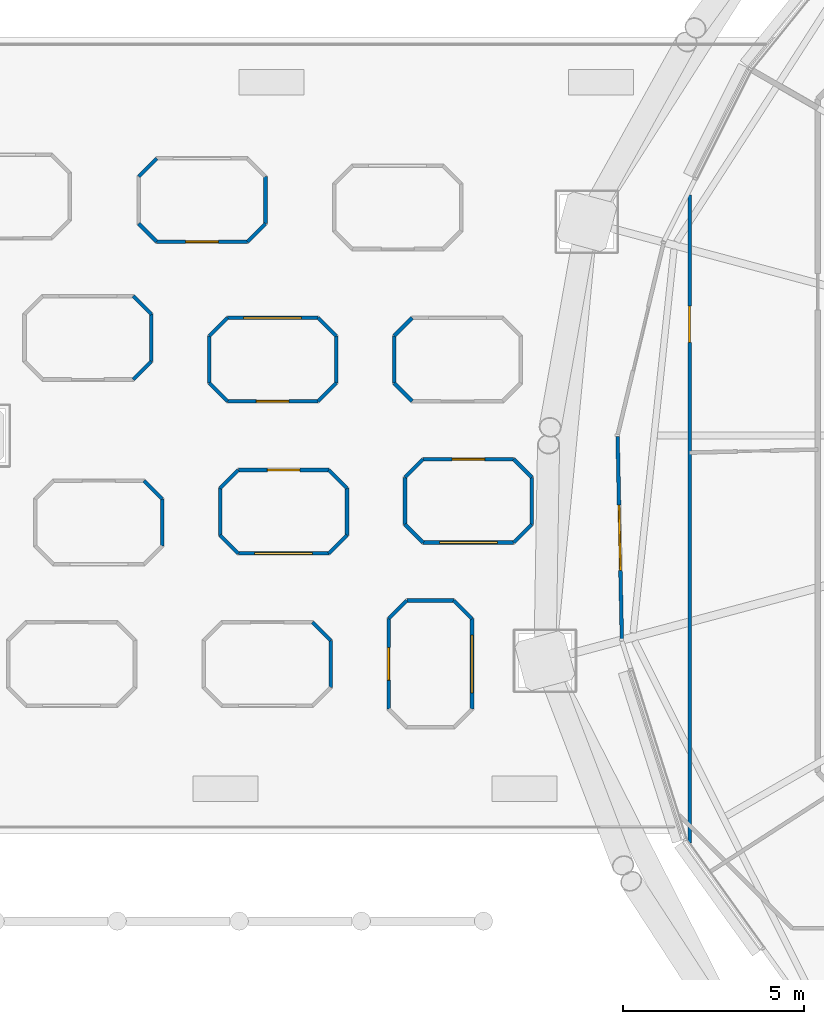
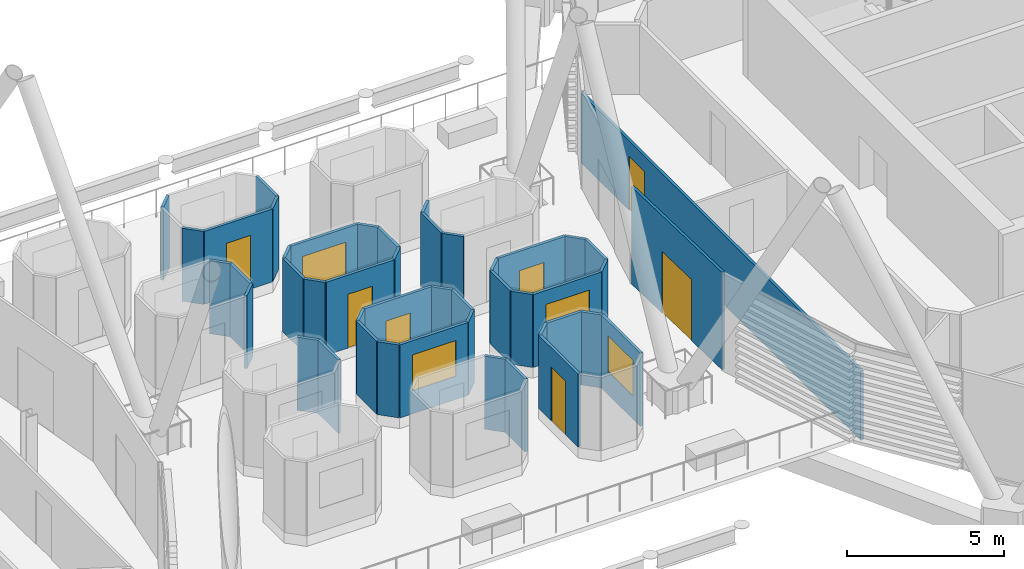
# One storey, part 25 of 38: 46 walls, 7 doors, 4 windows, 11 openings.
"""IFC4 building model written with IfcOpenShell, lengths in metres."""

from ifc_helpers import new_model, si_unit, direction, frame, frame_2d, origin, place, context, subcontext, project, spatial, rectangle, extrude, material, layer, layer_set, type_object, element, fill, save


model = new_model("IFC4")

# Units and contexts
model_context = context("Model", 3, precision=1e-05, world=origin(), true_north=direction((0.0, 1.0)))
body_context = subcontext(model_context, "Body", "Model", "MODEL_VIEW")
ifc_project = project(units=[si_unit("LENGTHUNIT", "METRE"), si_unit("AREAUNIT", "SQUARE_METRE"), si_unit("VOLUMEUNIT", "CUBIC_METRE"), si_unit("PLANEANGLEUNIT", "RADIAN"), si_unit("MASSUNIT", "GRAM", prefix="KILO")], contexts=[model_context])

# Site, building, storey
site_placement = place(None, origin())
site = spatial("IfcSite", under=ifc_project, at=site_placement, CompositionType="ELEMENT")
building_placement = place(site_placement, origin())
building = spatial("IfcBuilding", under=site, at=building_placement, Name="Rimbun Link Towers", CompositionType="ELEMENT")
storey_placement = place(building_placement, frame((0.0, 0.0, 158.89990234375)))
storey = spatial("IfcBuildingStorey", under=building, at=storey_placement, Name="L38", CompositionType="ELEMENT", Elevation=158.89990234375)

# Wall, opening, door
ifc_material_1 = material(Name="Terracotta-faced insulated sandwich panel", Category="masonry")
ifc_layer_1 = layer(ifc_material_1, 0.10009765625)
ifc_layer_set_1 = layer_set([ifc_layer_1], Name="CAPSULE entrance panel 100")
wall_type_1 = type_object("IfcWallType", Name="CAPSULE entrance panel 100", PredefinedType="STANDARD", material=ifc_layer_set_1)
wall_1_placement = place(storey_placement, frame((4.25, -5.050048828125, 0.41015625), z_axis=(0.0, 0.0, 1.0), x_axis=(0.0, -1.0, 0.0)))
wall_1 = element("IfcWall", 1, at=wall_1_placement, inside=storey, type_object=wall_type_1, Name="CAPSULE C03 shell panel 3", PredefinedType="STANDARD", context=body_context, shape_type="SweptSolid", body=[
    extrude(rectangle(XDim=2.5, YDim=0.10009765625, at=frame_2d((1.25, 0.0))), origin(), (0.0, 0.0, 1.0), 2.849853515625),
])
opening_1_placement = place(wall_1_placement, frame((0.800048828125, 0.0, 0.0)))
opening_1 = element("IfcOpeningElement", 2, at=opening_1_placement, cuts=wall_1, Name="Opening CD38.03", PredefinedType="OPENING", context=body_context, shape_type="SweptSolid", body=[
    extrude(rectangle(XDim=0.89990234375, YDim=2.10009765625, at=frame_2d((0.449951171875, 1.050048828125))), frame((0.0, 0.06005859375, 0.0), z_axis=(0.0, -1.0, 0.0), x_axis=(1.0, 0.0, 0.0)), (0.0, 0.0, 1.0), 0.1201171875),
])
ifc_material_2 = material(Name="Aluminium framed insulated door leaf", Category="aluminium")
door_type_1 = type_object("IfcDoorType", Name="CAPSULE door single leaf 900X2100", OperationType="SINGLE_SWING_LEFT", PredefinedType="DOOR", material=ifc_material_2)
door_1_placement = place(opening_1_placement, origin())
door_1 = element("IfcDoor", 3, at=door_1_placement, inside=storey, type_object=door_type_1, Name="CAPSULE C03 door", OperationType="SINGLE_SWING_LEFT", OverallHeight=2.10009765625, OverallWidth=0.89990234375, PredefinedType="DOOR", context=body_context, shape_type="SweptSolid", body=[
    extrude(rectangle(XDim=0.89990234375, YDim=2.10009765625, at=frame_2d((0.449951171875, 1.050048828125))), frame((0.0, 0.02490234375, 0.0), z_axis=(0.0, -1.0, 0.0), x_axis=(1.0, 0.0, 0.0)), (0.0, 0.0, 1.0), 0.050048828125),
])
fill(opening_1, door_1)

wall_2_placement = place(storey_placement, frame((2.60009765625, -0.949951171875, 0.41015625), z_axis=(0.0, 0.0, 1.0), x_axis=(-1.0, 0.0, 0.0)))
wall_2 = element("IfcWall", 4, at=wall_2_placement, inside=storey, type_object=wall_type_1, Name="CAPSULE C05 shell panel 3", PredefinedType="STANDARD", context=body_context, shape_type="SweptSolid", body=[
    extrude(rectangle(XDim=2.5, YDim=0.10009765625, at=frame_2d((1.25, 0.0))), origin(), (0.0, 0.0, 1.0), 2.849853515625),
])
opening_2_placement = place(wall_2_placement, frame((0.800048828125, 0.0, 0.0)))
opening_2 = element("IfcOpeningElement", 5, at=opening_2_placement, cuts=wall_2, Name="Opening CD38.05", PredefinedType="OPENING", context=body_context, shape_type="SweptSolid", body=[
    extrude(rectangle(XDim=0.89990234375, YDim=2.10009765625, at=frame_2d((0.449951171875, 1.050048828125))), frame((0.0, 0.06005859375, 0.0), z_axis=(0.0, -1.0, 0.0), x_axis=(1.0, 0.0, 0.0)), (0.0, 0.0, 1.0), 0.1201171875),
])
door_2_placement = place(opening_2_placement, origin())
door_2 = element("IfcDoor", 6, at=door_2_placement, inside=storey, type_object=door_type_1, Name="CAPSULE C05 door", OperationType="SINGLE_SWING_LEFT", OverallHeight=2.10009765625, OverallWidth=0.89990234375, PredefinedType="DOOR", context=body_context, shape_type="SweptSolid", body=[
    extrude(rectangle(XDim=0.89990234375, YDim=2.10009765625, at=frame_2d((0.449951171875, 1.050048828125))), frame((0.0, 0.02490234375, 0.0), z_axis=(0.0, -1.0, 0.0), x_axis=(1.0, 0.0, 0.0)), (0.0, 0.0, 1.0), 0.050048828125),
])
fill(opening_2, door_2)

wall_3_placement = place(storey_placement, frame((7.699951171875, -0.64990234375, 0.41015625), z_axis=(0.0, 0.0, 1.0), x_axis=(-1.0, 0.0, 0.0)))
wall_3 = element("IfcWall", 7, at=wall_3_placement, inside=storey, type_object=wall_type_1, Name="CAPSULE C06 shell panel 3", PredefinedType="STANDARD", context=body_context, shape_type="SweptSolid", body=[
    extrude(rectangle(XDim=2.5, YDim=0.10009765625, at=frame_2d((1.25, 0.0))), origin(), (0.0, 0.0, 1.0), 2.849853515625),
])
opening_3_placement = place(wall_3_placement, frame((0.800048828125, 0.0, 0.0)))
opening_3 = element("IfcOpeningElement", 8, at=opening_3_placement, cuts=wall_3, Name="Opening CD38.06", PredefinedType="OPENING", context=body_context, shape_type="SweptSolid", body=[
    extrude(rectangle(XDim=0.89990234375, YDim=2.10009765625, at=frame_2d((0.449951171875, 1.050048828125))), frame((0.0, 0.06005859375, 0.0), z_axis=(0.0, -1.0, 0.0), x_axis=(1.0, 0.0, 0.0)), (0.0, 0.0, 1.0), 0.1201171875),
])
door_3_placement = place(opening_3_placement, origin())
door_3 = element("IfcDoor", 9, at=door_3_placement, inside=storey, type_object=door_type_1, Name="CAPSULE C06 door", OperationType="SINGLE_SWING_RIGHT", OverallHeight=2.10009765625, OverallWidth=0.89990234375, PredefinedType="DOOR", context=body_context, shape_type="SweptSolid", body=[
    extrude(rectangle(XDim=0.89990234375, YDim=2.10009765625, at=frame_2d((0.449951171875, 1.050048828125))), frame((0.0, 0.02490234375, 0.0), z_axis=(0.0, -1.0, 0.0), x_axis=(1.0, 0.0, 0.0)), (0.0, 0.0, 1.0), 0.050048828125),
])
fill(opening_3, door_3)

wall_4_placement = place(storey_placement, frame((-0.199951171875, 0.949951171875, 0.41015625), z_axis=(0.0, 0.0, 1.0), x_axis=(1.0, 0.0, 0.0)))
wall_4 = element("IfcWall", 10, at=wall_4_placement, inside=storey, type_object=wall_type_1, Name="CAPSULE C08 shell panel 7", PredefinedType="STANDARD", context=body_context, shape_type="SweptSolid", body=[
    extrude(rectangle(XDim=2.5, YDim=0.10009765625, at=frame_2d((1.25, 0.0))), origin(), (0.0, 0.0, 1.0), 2.849853515625),
])
opening_4_placement = place(wall_4_placement, frame((0.800048828125, 0.0, 0.0)))
opening_4 = element("IfcOpeningElement", 11, at=opening_4_placement, cuts=wall_4, Name="Opening CD38.08", PredefinedType="OPENING", context=body_context, shape_type="SweptSolid", body=[
    extrude(rectangle(XDim=0.89990234375, YDim=2.10009765625, at=frame_2d((0.449951171875, 1.050048828125))), frame((0.0, 0.06005859375, 0.0), z_axis=(0.0, -1.0, 0.0), x_axis=(1.0, 0.0, 0.0)), (0.0, 0.0, 1.0), 0.1201171875),
])
door_4_placement = place(opening_4_placement, origin())
door_4 = element("IfcDoor", 12, at=door_4_placement, inside=storey, type_object=door_type_1, Name="CAPSULE C08 door", OperationType="SINGLE_SWING_RIGHT", OverallHeight=2.10009765625, OverallWidth=0.89990234375, PredefinedType="DOOR", context=body_context, shape_type="SweptSolid", body=[
    extrude(rectangle(XDim=0.89990234375, YDim=2.10009765625, at=frame_2d((0.449951171875, 1.050048828125))), frame((0.0, 0.02490234375, 0.0), z_axis=(0.0, -1.0, 0.0), x_axis=(1.0, 0.0, 0.0)), (0.0, 0.0, 1.0), 0.050048828125),
])
fill(opening_4, door_4)

wall_5_placement = place(storey_placement, frame((-2.14990234375, 5.35009765625, 0.41015625), z_axis=(0.0, 0.0, 1.0), x_axis=(1.0, 0.0, 0.0)))
wall_5 = element("IfcWall", 13, at=wall_5_placement, inside=storey, type_object=wall_type_1, Name="CAPSULE C11 shell panel 7", PredefinedType="STANDARD", context=body_context, shape_type="SweptSolid", body=[
    extrude(rectangle(XDim=2.5, YDim=0.10009765625, at=frame_2d((1.25, 0.0))), origin(), (0.0, 0.0, 1.0), 2.849853515625),
])
opening_5_placement = place(wall_5_placement, frame((0.800048828125, 0.0, 0.0)))
opening_5 = element("IfcOpeningElement", 14, at=opening_5_placement, cuts=wall_5, Name="Opening CD38.11", PredefinedType="OPENING", context=body_context, shape_type="SweptSolid", body=[
    extrude(rectangle(XDim=0.89990234375, YDim=2.10009765625, at=frame_2d((0.449951171875, 1.050048828125))), frame((0.0, 0.06005859375, 0.0), z_axis=(0.0, -1.0, 0.0), x_axis=(1.0, 0.0, 0.0)), (0.0, 0.0, 1.0), 0.1201171875),
])
door_5_placement = place(opening_5_placement, origin())
door_5 = element("IfcDoor", 15, at=door_5_placement, inside=storey, type_object=door_type_1, Name="CAPSULE C11 door", OperationType="SINGLE_SWING_LEFT", OverallHeight=2.10009765625, OverallWidth=0.89990234375, PredefinedType="DOOR", context=body_context, shape_type="SweptSolid", body=[
    extrude(rectangle(XDim=0.89990234375, YDim=2.10009765625, at=frame_2d((0.449951171875, 1.050048828125))), frame((0.0, 0.02490234375, 0.0), z_axis=(0.0, -1.0, 0.0), x_axis=(1.0, 0.0, 0.0)), (0.0, 0.0, 1.0), 0.050048828125),
])
fill(opening_5, door_5)

# Walls
ifc_material_3 = material(Name="Terracotta-faced insulated sandwich panel", Category="masonry")
ifc_layer_2 = layer(ifc_material_3, 0.10009765625)
ifc_layer_set_2 = layer_set([ifc_layer_2], Name="CAPSULE shell panel 100")
wall_type_2 = type_object("IfcWallType", Name="CAPSULE shell panel 100", PredefinedType="STANDARD", material=ifc_layer_set_2)
wall_6_placement = place(storey_placement, frame((2.64990234375, -6.949951171875, 0.41015625), z_axis=(0.0, 0.0, 1.0), x_axis=(0.0, 1.0, 0.0)))
element("IfcWall", 16, at=wall_6_placement, inside=storey, type_object=wall_type_2, Name="CAPSULE C02 shell panel 1", PredefinedType="STANDARD", context=body_context, shape_type="SweptSolid", body=[
    extrude(rectangle(XDim=1.300048828125, YDim=0.10009765625, at=frame_2d((0.64990234375, 0.0))), origin(), (0.0, 0.0, 1.0), 2.849853515625),
])
wall_7_placement = place(storey_placement, frame((2.64990234375, -5.64990234375, 0.41015625), z_axis=(0.0, 0.0, 1.0), x_axis=(-0.707106781187, 0.707106781187, 0.0)))
element("IfcWall", 17, at=wall_7_placement, inside=storey, type_object=wall_type_2, Name="CAPSULE C02 shell panel 2", PredefinedType="STANDARD", context=body_context, shape_type="SweptSolid", body=[
    extrude(rectangle(XDim=0.70703125, YDim=0.10009765625, at=frame_2d((0.353515625, 0.0))), origin(), (0.0, 0.0, 1.0), 2.849853515625),
])
wall_8_placement = place(storey_placement, frame((6.050048828125, -4.550048828125, 0.41015625), z_axis=(0.0, 0.0, 1.0), x_axis=(-1.0, 0.0, 0.0)))
element("IfcWall", 18, at=wall_8_placement, inside=storey, type_object=wall_type_2, Name="CAPSULE C03 shell panel 1", PredefinedType="STANDARD", context=body_context, shape_type="SweptSolid", body=[
    extrude(rectangle(XDim=1.300048828125, YDim=0.10009765625, at=frame_2d((0.64990234375, 0.0))), origin(), (0.0, 0.0, 1.0), 2.849853515625),
])
wall_9_placement = place(storey_placement, frame((4.75, -4.550048828125, 0.41015625), z_axis=(0.0, 0.0, 1.0), x_axis=(-0.707106781187, -0.707106781187, 0.0)))
element("IfcWall", 19, at=wall_9_placement, inside=storey, type_object=wall_type_2, Name="CAPSULE C03 shell panel 2", PredefinedType="STANDARD", context=body_context, shape_type="SweptSolid", body=[
    extrude(rectangle(XDim=0.70703125, YDim=0.10009765625, at=frame_2d((0.353515625, 0.0))), origin(), (0.0, 0.0, 1.0), 2.849853515625),
])

# Wall, opening, window
wall_10_placement = place(storey_placement, frame((6.550048828125, -7.550048828125, 0.41015625), z_axis=(0.0, 0.0, 1.0), x_axis=(0.0, 1.0, 0.0)))
wall_10 = element("IfcWall", 20, at=wall_10_placement, inside=storey, type_object=wall_type_2, Name="CAPSULE C03 shell panel 7", PredefinedType="STANDARD", context=body_context, shape_type="SweptSolid", body=[
    extrude(rectangle(XDim=2.5, YDim=0.10009765625, at=frame_2d((1.25, 0.0))), origin(), (0.0, 0.0, 1.0), 2.849853515625),
])
opening_6_placement = place(wall_10_placement, frame((0.449951171875, 0.0, 0.89990234375)))
opening_6 = element("IfcOpeningElement", 21, at=opening_6_placement, cuts=wall_10, Name="Opening CN38.03", PredefinedType="OPENING", context=body_context, shape_type="SweptSolid", body=[
    extrude(rectangle(XDim=1.60009765625, YDim=1.39990234375, at=frame_2d((0.800048828125, 0.699951171875))), frame((0.0, 0.06005859375, 0.0), z_axis=(0.0, -1.0, 0.0), x_axis=(1.0, 0.0, 0.0)), (0.0, 0.0, 1.0), 0.1201171875),
])
ifc_material_4 = material(Name="Aluminium framed window, low-iron glass", Category="aluminium")
window_type = type_object("IfcWindowType", Name="CAPSULE window 1600X1400", PartitioningType="SINGLE_PANEL", PredefinedType="WINDOW", material=ifc_material_4)
window_1_placement = place(opening_6_placement, origin())
window_1 = element("IfcWindow", 22, at=window_1_placement, inside=storey, type_object=window_type, Name="CAPSULE C03 window", OverallHeight=1.39990234375, OverallWidth=1.60009765625, PartitioningType="SINGLE_PANEL", PredefinedType="WINDOW", context=body_context, shape_type="SweptSolid", body=[
    extrude(rectangle(XDim=1.60009765625, YDim=1.39990234375, at=frame_2d((0.800048828125, 0.699951171875))), frame((0.0, 0.030029296875, 0.0), z_axis=(0.0, -1.0, 0.0), x_axis=(1.0, 0.0, 0.0)), (0.0, 0.0, 1.0), 0.06005859375),
])
fill(opening_6, window_1)

# Walls
wall_11_placement = place(storey_placement, frame((6.550048828125, -5.050048828125, 0.41015625), z_axis=(0.0, 0.0, 1.0), x_axis=(-0.707106781187, 0.707106781187, 0.0)))
element("IfcWall", 23, at=wall_11_placement, inside=storey, type_object=wall_type_2, Name="CAPSULE C03 shell panel 8", PredefinedType="STANDARD", context=body_context, shape_type="SweptSolid", body=[
    extrude(rectangle(XDim=0.70703125, YDim=0.10009765625, at=frame_2d((0.353515625, 0.0))), origin(), (0.0, 0.0, 1.0), 2.849853515625),
])
wall_12_placement = place(storey_placement, frame((-2.0, -3.050048828125, 0.41015625), z_axis=(0.0, 0.0, 1.0), x_axis=(0.0, 1.0, 0.0)))
element("IfcWall", 24, at=wall_12_placement, inside=storey, type_object=wall_type_2, Name="CAPSULE C04 shell panel 1", PredefinedType="STANDARD", context=body_context, shape_type="SweptSolid", body=[
    extrude(rectangle(XDim=1.300048828125, YDim=0.10009765625, at=frame_2d((0.64990234375, 0.0))), origin(), (0.0, 0.0, 1.0), 2.849853515625),
])
wall_13_placement = place(storey_placement, frame((-2.0, -1.75, 0.41015625), z_axis=(0.0, 0.0, 1.0), x_axis=(-0.707106781187, 0.707106781187, 0.0)))
element("IfcWall", 25, at=wall_13_placement, inside=storey, type_object=wall_type_2, Name="CAPSULE C04 shell panel 2", PredefinedType="STANDARD", context=body_context, shape_type="SweptSolid", body=[
    extrude(rectangle(XDim=0.70703125, YDim=0.10009765625, at=frame_2d((0.353515625, 0.0))), origin(), (0.0, 0.0, 1.0), 2.849853515625),
])
wall_14_placement = place(storey_placement, frame((3.10009765625, -2.75, 0.41015625), z_axis=(0.0, 0.0, 1.0), x_axis=(0.0, 1.0, 0.0)))
element("IfcWall", 26, at=wall_14_placement, inside=storey, type_object=wall_type_2, Name="CAPSULE C05 shell panel 1", PredefinedType="STANDARD", context=body_context, shape_type="SweptSolid", body=[
    extrude(rectangle(XDim=1.300048828125, YDim=0.10009765625, at=frame_2d((0.64990234375, 0.0))), origin(), (0.0, 0.0, 1.0), 2.849853515625),
])
for number, where, z_axis, x_axis, name in (
    (27, (3.10009765625, -1.449951171875, 0.41015625), (0.0, 0.0, 1.0), (-0.707106781187, 0.707106781187, 0.0), "CAPSULE C05 shell panel 2"),
    (28, (0.10009765625, -0.949951171875, 0.41015625), (0.0, 0.0, 1.0), (-0.707106781187, -0.707106781187, 0.0), "CAPSULE C05 shell panel 4"),
):
    element("IfcWall", number, at=place(storey_placement, frame(where, z_axis=z_axis, x_axis=x_axis)), inside=storey, type_object=wall_type_2, Name=name, PredefinedType="STANDARD", context=body_context, shape_type="SweptSolid", body=[
        extrude(rectangle(XDim=0.70703125, YDim=0.10009765625, at=frame_2d((0.353515625, 0.0))), origin(), (0.0, 0.0, 1.0), 2.849853515625),
    ])
wall_15_placement = place(storey_placement, frame((-0.39990234375, -1.449951171875, 0.41015625), z_axis=(0.0, 0.0, 1.0), x_axis=(0.0, -1.0, 0.0)))
element("IfcWall", 29, at=wall_15_placement, inside=storey, type_object=wall_type_2, Name="CAPSULE C05 shell panel 5", PredefinedType="STANDARD", context=body_context, shape_type="SweptSolid", body=[
    extrude(rectangle(XDim=1.300048828125, YDim=0.10009765625, at=frame_2d((0.64990234375, 0.0))), origin(), (0.0, 0.0, 1.0), 2.849853515625),
])
wall_16_placement = place(storey_placement, frame((-0.39990234375, -2.75, 0.41015625), z_axis=(0.0, 0.0, 1.0), x_axis=(0.707106781187, -0.707106781187, 0.0)))
element("IfcWall", 30, at=wall_16_placement, inside=storey, type_object=wall_type_2, Name="CAPSULE C05 shell panel 6", PredefinedType="STANDARD", context=body_context, shape_type="SweptSolid", body=[
    extrude(rectangle(XDim=0.70703125, YDim=0.10009765625, at=frame_2d((0.353515625, 0.0))), origin(), (0.0, 0.0, 1.0), 2.849853515625),
])

# Wall, opening, window
wall_17_placement = place(storey_placement, frame((0.10009765625, -3.25, 0.41015625), z_axis=(0.0, 0.0, 1.0), x_axis=(1.0, 0.0, 0.0)))
wall_17 = element("IfcWall", 31, at=wall_17_placement, inside=storey, type_object=wall_type_2, Name="CAPSULE C05 shell panel 7", PredefinedType="STANDARD", context=body_context, shape_type="SweptSolid", body=[
    extrude(rectangle(XDim=2.5, YDim=0.10009765625, at=frame_2d((1.25, 0.0))), origin(), (0.0, 0.0, 1.0), 2.849853515625),
])
opening_7_placement = place(wall_17_placement, frame((0.449951171875, 0.0, 0.89990234375)))
opening_7 = element("IfcOpeningElement", 32, at=opening_7_placement, cuts=wall_17, Name="Opening CN38.05", PredefinedType="OPENING", context=body_context, shape_type="SweptSolid", body=[
    extrude(rectangle(XDim=1.60009765625, YDim=1.39990234375, at=frame_2d((0.800048828125, 0.699951171875))), frame((0.0, 0.06005859375, 0.0), z_axis=(0.0, -1.0, 0.0), x_axis=(1.0, 0.0, 0.0)), (0.0, 0.0, 1.0), 0.1201171875),
])
window_2_placement = place(opening_7_placement, origin())
window_2 = element("IfcWindow", 33, at=window_2_placement, inside=storey, type_object=window_type, Name="CAPSULE C05 window", OverallHeight=1.39990234375, OverallWidth=1.60009765625, PartitioningType="SINGLE_PANEL", PredefinedType="WINDOW", context=body_context, shape_type="SweptSolid", body=[
    extrude(rectangle(XDim=1.60009765625, YDim=1.39990234375, at=frame_2d((0.800048828125, 0.699951171875))), frame((0.0, 0.030029296875, 0.0), z_axis=(0.0, -1.0, 0.0), x_axis=(1.0, 0.0, 0.0)), (0.0, 0.0, 1.0), 0.06005859375),
])
fill(opening_7, window_2)

# Walls
wall_18_placement = place(storey_placement, frame((2.60009765625, -3.25, 0.41015625), z_axis=(0.0, 0.0, 1.0), x_axis=(0.707106781187, 0.707106781187, 0.0)))
element("IfcWall", 34, at=wall_18_placement, inside=storey, type_object=wall_type_2, Name="CAPSULE C05 shell panel 8", PredefinedType="STANDARD", context=body_context, shape_type="SweptSolid", body=[
    extrude(rectangle(XDim=0.70703125, YDim=0.10009765625, at=frame_2d((0.353515625, 0.0))), origin(), (0.0, 0.0, 1.0), 2.849853515625),
])
wall_19_placement = place(storey_placement, frame((8.199951171875, -2.449951171875, 0.41015625), z_axis=(0.0, 0.0, 1.0), x_axis=(0.0, 1.0, 0.0)))
element("IfcWall", 35, at=wall_19_placement, inside=storey, type_object=wall_type_2, Name="CAPSULE C06 shell panel 1", PredefinedType="STANDARD", context=body_context, shape_type="SweptSolid", body=[
    extrude(rectangle(XDim=1.300048828125, YDim=0.10009765625, at=frame_2d((0.64990234375, 0.0))), origin(), (0.0, 0.0, 1.0), 2.849853515625),
])
for number, where, z_axis, x_axis, name in (
    (36, (8.199951171875, -1.14990234375, 0.41015625), (0.0, 0.0, 1.0), (-0.707106781187, 0.707106781187, 0.0), "CAPSULE C06 shell panel 2"),
    (37, (5.199951171875, -0.64990234375, 0.41015625), (0.0, 0.0, 1.0), (-0.707106781187, -0.707106781187, 0.0), "CAPSULE C06 shell panel 4"),
):
    element("IfcWall", number, at=place(storey_placement, frame(where, z_axis=z_axis, x_axis=x_axis)), inside=storey, type_object=wall_type_2, Name=name, PredefinedType="STANDARD", context=body_context, shape_type="SweptSolid", body=[
        extrude(rectangle(XDim=0.70703125, YDim=0.10009765625, at=frame_2d((0.353515625, 0.0))), origin(), (0.0, 0.0, 1.0), 2.849853515625),
    ])
wall_20_placement = place(storey_placement, frame((4.699951171875, -1.14990234375, 0.41015625), z_axis=(0.0, 0.0, 1.0), x_axis=(0.0, -1.0, 0.0)))
element("IfcWall", 38, at=wall_20_placement, inside=storey, type_object=wall_type_2, Name="CAPSULE C06 shell panel 5", PredefinedType="STANDARD", context=body_context, shape_type="SweptSolid", body=[
    extrude(rectangle(XDim=1.300048828125, YDim=0.10009765625, at=frame_2d((0.64990234375, 0.0))), origin(), (0.0, 0.0, 1.0), 2.849853515625),
])
wall_21_placement = place(storey_placement, frame((4.699951171875, -2.449951171875, 0.41015625), z_axis=(0.0, 0.0, 1.0), x_axis=(0.707106781187, -0.707106781187, 0.0)))
element("IfcWall", 39, at=wall_21_placement, inside=storey, type_object=wall_type_2, Name="CAPSULE C06 shell panel 6", PredefinedType="STANDARD", context=body_context, shape_type="SweptSolid", body=[
    extrude(rectangle(XDim=0.70703125, YDim=0.10009765625, at=frame_2d((0.353515625, 0.0))), origin(), (0.0, 0.0, 1.0), 2.849853515625),
])

# Wall, opening, window
wall_22_placement = place(storey_placement, frame((5.199951171875, -2.949951171875, 0.41015625), z_axis=(0.0, 0.0, 1.0), x_axis=(1.0, 0.0, 0.0)))
wall_22 = element("IfcWall", 40, at=wall_22_placement, inside=storey, type_object=wall_type_2, Name="CAPSULE C06 shell panel 7", PredefinedType="STANDARD", context=body_context, shape_type="SweptSolid", body=[
    extrude(rectangle(XDim=2.5, YDim=0.10009765625, at=frame_2d((1.25, 0.0))), origin(), (0.0, 0.0, 1.0), 2.849853515625),
])
opening_8_placement = place(wall_22_placement, frame((0.449951171875, 0.0, 0.89990234375)))
opening_8 = element("IfcOpeningElement", 41, at=opening_8_placement, cuts=wall_22, Name="Opening CN38.06", PredefinedType="OPENING", context=body_context, shape_type="SweptSolid", body=[
    extrude(rectangle(XDim=1.60009765625, YDim=1.39990234375, at=frame_2d((0.800048828125, 0.699951171875))), frame((0.0, 0.06005859375, 0.0), z_axis=(0.0, -1.0, 0.0), x_axis=(1.0, 0.0, 0.0)), (0.0, 0.0, 1.0), 0.1201171875),
])
window_3_placement = place(opening_8_placement, origin())
window_3 = element("IfcWindow", 42, at=window_3_placement, inside=storey, type_object=window_type, Name="CAPSULE C06 window", OverallHeight=1.39990234375, OverallWidth=1.60009765625, PartitioningType="SINGLE_PANEL", PredefinedType="WINDOW", context=body_context, shape_type="SweptSolid", body=[
    extrude(rectangle(XDim=1.60009765625, YDim=1.39990234375, at=frame_2d((0.800048828125, 0.699951171875))), frame((0.0, 0.030029296875, 0.0), z_axis=(0.0, -1.0, 0.0), x_axis=(1.0, 0.0, 0.0)), (0.0, 0.0, 1.0), 0.06005859375),
])
fill(opening_8, window_3)

# Walls
wall_23_placement = place(storey_placement, frame((7.699951171875, -2.949951171875, 0.41015625), z_axis=(0.0, 0.0, 1.0), x_axis=(0.707106781187, 0.707106781187, 0.0)))
element("IfcWall", 43, at=wall_23_placement, inside=storey, type_object=wall_type_2, Name="CAPSULE C06 shell panel 8", PredefinedType="STANDARD", context=body_context, shape_type="SweptSolid", body=[
    extrude(rectangle(XDim=0.70703125, YDim=0.10009765625, at=frame_2d((0.353515625, 0.0))), origin(), (0.0, 0.0, 1.0), 2.849853515625),
])
wall_24_placement = place(storey_placement, frame((-2.300048828125, 2.050048828125, 0.41015625), z_axis=(0.0, 0.0, 1.0), x_axis=(0.0, 1.0, 0.0)))
element("IfcWall", 44, at=wall_24_placement, inside=storey, type_object=wall_type_2, Name="CAPSULE C07 shell panel 1", PredefinedType="STANDARD", context=body_context, shape_type="SweptSolid", body=[
    extrude(rectangle(XDim=1.300048828125, YDim=0.10009765625, at=frame_2d((0.64990234375, 0.0))), origin(), (0.0, 0.0, 1.0), 2.849853515625),
])
for number, where, z_axis, x_axis, name in (
    (45, (-2.300048828125, 3.35009765625, 0.41015625), (0.0, 0.0, 1.0), (-0.707106781187, 0.707106781187, 0.0), "CAPSULE C07 shell panel 2"),
    (46, (-2.800048828125, 1.550048828125, 0.41015625), (0.0, 0.0, 1.0), (0.707106781187, 0.707106781187, 0.0), "CAPSULE C07 shell panel 8"),
):
    element("IfcWall", number, at=place(storey_placement, frame(where, z_axis=z_axis, x_axis=x_axis)), inside=storey, type_object=wall_type_2, Name=name, PredefinedType="STANDARD", context=body_context, shape_type="SweptSolid", body=[
        extrude(rectangle(XDim=0.70703125, YDim=0.10009765625, at=frame_2d((0.353515625, 0.0))), origin(), (0.0, 0.0, 1.0), 2.849853515625),
    ])
wall_25_placement = place(storey_placement, frame((2.800048828125, 1.449951171875, 0.41015625), z_axis=(0.0, 0.0, 1.0), x_axis=(0.0, 1.0, 0.0)))
element("IfcWall", 47, at=wall_25_placement, inside=storey, type_object=wall_type_2, Name="CAPSULE C08 shell panel 1", PredefinedType="STANDARD", context=body_context, shape_type="SweptSolid", body=[
    extrude(rectangle(XDim=1.300048828125, YDim=0.10009765625, at=frame_2d((0.64990234375, 0.0))), origin(), (0.0, 0.0, 1.0), 2.849853515625),
])
wall_26_placement = place(storey_placement, frame((2.800048828125, 2.75, 0.41015625), z_axis=(0.0, 0.0, 1.0), x_axis=(-0.707106781187, 0.707106781187, 0.0)))
element("IfcWall", 48, at=wall_26_placement, inside=storey, type_object=wall_type_2, Name="CAPSULE C08 shell panel 2", PredefinedType="STANDARD", context=body_context, shape_type="SweptSolid", body=[
    extrude(rectangle(XDim=0.70703125, YDim=0.10009765625, at=frame_2d((0.353515625, 0.0))), origin(), (0.0, 0.0, 1.0), 2.849853515625),
])

# Wall, opening, window
wall_27_placement = place(storey_placement, frame((2.300048828125, 3.25, 0.41015625), z_axis=(0.0, 0.0, 1.0), x_axis=(-1.0, 0.0, 0.0)))
wall_27 = element("IfcWall", 49, at=wall_27_placement, inside=storey, type_object=wall_type_2, Name="CAPSULE C08 shell panel 3", PredefinedType="STANDARD", context=body_context, shape_type="SweptSolid", body=[
    extrude(rectangle(XDim=2.5, YDim=0.10009765625, at=frame_2d((1.25, 0.0))), origin(), (0.0, 0.0, 1.0), 2.849853515625),
])
opening_9_placement = place(wall_27_placement, frame((0.449951171875, 0.0, 0.89990234375)))
opening_9 = element("IfcOpeningElement", 50, at=opening_9_placement, cuts=wall_27, Name="Opening CN38.08", PredefinedType="OPENING", context=body_context, shape_type="SweptSolid", body=[
    extrude(rectangle(XDim=1.60009765625, YDim=1.39990234375, at=frame_2d((0.800048828125, 0.699951171875))), frame((0.0, 0.06005859375, 0.0), z_axis=(0.0, -1.0, 0.0), x_axis=(1.0, 0.0, 0.0)), (0.0, 0.0, 1.0), 0.1201171875),
])
window_4_placement = place(opening_9_placement, origin())
window_4 = element("IfcWindow", 51, at=window_4_placement, inside=storey, type_object=window_type, Name="CAPSULE C08 window", OverallHeight=1.39990234375, OverallWidth=1.60009765625, PartitioningType="SINGLE_PANEL", PredefinedType="WINDOW", context=body_context, shape_type="SweptSolid", body=[
    extrude(rectangle(XDim=1.60009765625, YDim=1.39990234375, at=frame_2d((0.800048828125, 0.699951171875))), frame((0.0, 0.030029296875, 0.0), z_axis=(0.0, -1.0, 0.0), x_axis=(1.0, 0.0, 0.0)), (0.0, 0.0, 1.0), 0.06005859375),
])
fill(opening_9, window_4)

# Walls
wall_28_placement = place(storey_placement, frame((-0.199951171875, 3.25, 0.41015625), z_axis=(0.0, 0.0, 1.0), x_axis=(-0.707106781187, -0.707106781187, 0.0)))
element("IfcWall", 52, at=wall_28_placement, inside=storey, type_object=wall_type_2, Name="CAPSULE C08 shell panel 4", PredefinedType="STANDARD", context=body_context, shape_type="SweptSolid", body=[
    extrude(rectangle(XDim=0.70703125, YDim=0.10009765625, at=frame_2d((0.353515625, 0.0))), origin(), (0.0, 0.0, 1.0), 2.849853515625),
])
wall_29_placement = place(storey_placement, frame((-0.699951171875, 2.75, 0.41015625), z_axis=(0.0, 0.0, 1.0), x_axis=(0.0, -1.0, 0.0)))
element("IfcWall", 53, at=wall_29_placement, inside=storey, type_object=wall_type_2, Name="CAPSULE C08 shell panel 5", PredefinedType="STANDARD", context=body_context, shape_type="SweptSolid", body=[
    extrude(rectangle(XDim=1.300048828125, YDim=0.10009765625, at=frame_2d((0.64990234375, 0.0))), origin(), (0.0, 0.0, 1.0), 2.849853515625),
])
for number, where, z_axis, x_axis, name in (
    (54, (-0.699951171875, 1.449951171875, 0.41015625), (0.0, 0.0, 1.0), (0.707106781187, -0.707106781187, 0.0), "CAPSULE C08 shell panel 6"),
    (55, (2.300048828125, 0.949951171875, 0.41015625), (0.0, 0.0, 1.0), (0.707106781187, 0.707106781187, 0.0), "CAPSULE C08 shell panel 8"),
    (56, (4.89990234375, 3.25, 0.41015625), (0.0, 0.0, 1.0), (-0.707106781187, -0.707106781187, 0.0), "CAPSULE C09 shell panel 4"),
):
    element("IfcWall", number, at=place(storey_placement, frame(where, z_axis=z_axis, x_axis=x_axis)), inside=storey, type_object=wall_type_2, Name=name, PredefinedType="STANDARD", context=body_context, shape_type="SweptSolid", body=[
        extrude(rectangle(XDim=0.70703125, YDim=0.10009765625, at=frame_2d((0.353515625, 0.0))), origin(), (0.0, 0.0, 1.0), 2.849853515625),
    ])
wall_30_placement = place(storey_placement, frame((4.39990234375, 2.75, 0.41015625), z_axis=(0.0, 0.0, 1.0), x_axis=(0.0, -1.0, 0.0)))
element("IfcWall", 57, at=wall_30_placement, inside=storey, type_object=wall_type_2, Name="CAPSULE C09 shell panel 5", PredefinedType="STANDARD", context=body_context, shape_type="SweptSolid", body=[
    extrude(rectangle(XDim=1.300048828125, YDim=0.10009765625, at=frame_2d((0.64990234375, 0.0))), origin(), (0.0, 0.0, 1.0), 2.849853515625),
])
wall_31_placement = place(storey_placement, frame((4.39990234375, 1.449951171875, 0.41015625), z_axis=(0.0, 0.0, 1.0), x_axis=(0.707106781187, -0.707106781187, 0.0)))
element("IfcWall", 58, at=wall_31_placement, inside=storey, type_object=wall_type_2, Name="CAPSULE C09 shell panel 6", PredefinedType="STANDARD", context=body_context, shape_type="SweptSolid", body=[
    extrude(rectangle(XDim=0.70703125, YDim=0.10009765625, at=frame_2d((0.353515625, 0.0))), origin(), (0.0, 0.0, 1.0), 2.849853515625),
])
wall_32_placement = place(storey_placement, frame((0.85009765625, 5.85009765625, 0.41015625), z_axis=(0.0, 0.0, 1.0), x_axis=(0.0, 1.0, 0.0)))
element("IfcWall", 59, at=wall_32_placement, inside=storey, type_object=wall_type_2, Name="CAPSULE C11 shell panel 1", PredefinedType="STANDARD", context=body_context, shape_type="SweptSolid", body=[
    extrude(rectangle(XDim=1.2998046875, YDim=0.10009765625, at=frame_2d((0.64990234375, 0.0))), origin(), (0.0, 0.0, 1.0), 2.849853515625),
])
for number, where, z_axis, x_axis, name in (
    (60, (-2.14990234375, 7.64990234375, 0.41015625), (0.0, 0.0, 1.0), (-0.707106781187, -0.707106781187, 0.0), "CAPSULE C11 shell panel 4"),
    (61, (-2.64990234375, 5.85009765625, 0.41015625), (0.0, 0.0, 1.0), (0.707106781187, -0.707106781187, 0.0), "CAPSULE C11 shell panel 6"),
    (62, (0.35009765625, 5.35009765625, 0.41015625), (0.0, 0.0, 1.0), (0.707106781187, 0.707106781187, 0.0), "CAPSULE C11 shell panel 8"),
):
    element("IfcWall", number, at=place(storey_placement, frame(where, z_axis=z_axis, x_axis=x_axis)), inside=storey, type_object=wall_type_2, Name=name, PredefinedType="STANDARD", context=body_context, shape_type="SweptSolid", body=[
        extrude(rectangle(XDim=0.70703125, YDim=0.10009765625, at=frame_2d((0.353515625, 0.0))), origin(), (0.0, 0.0, 1.0), 2.849853515625),
    ])

# Wall, opening, door
ifc_material_5 = material(Name="Aluminium framed insulated infill panel", Category="aluminium")
ifc_layer_3 = layer(ifc_material_5, 0.10009765625)
ifc_layer_set_3 = layer_set([ifc_layer_3], Name="ED framed infill wall 100")
wall_type_3 = type_object("IfcWallType", Name="ED framed infill wall 100", PredefinedType="STANDARD", material=ifc_layer_set_3)
wall_33_placement = place(storey_placement, frame((10.68603515625, -5.611572265625, 0.0), z_axis=(0.0, 0.0, 1.0), x_axis=(-0.021087933656, 0.999777624802, 0.0)))
wall_33 = element("IfcWall", 63, at=wall_33_placement, inside=storey, type_object=wall_type_3, Name="Framed door bay wall", PredefinedType="STANDARD", context=body_context, shape_type="SweptSolid", body=[
    extrude(rectangle(XDim=5.591796875, YDim=0.10009765625, at=frame_2d((2.7958984375, 0.0))), origin(), (0.0, 0.0, 1.0), 3.800048828125),
])
opening_10_placement = place(wall_33_placement, frame((1.89599609375, 0.0, 0.0)))
opening_10 = element("IfcOpeningElement", 64, at=opening_10_placement, cuts=wall_33, Name="Opening ED71", PredefinedType="OPENING", context=body_context, shape_type="SweptSolid", body=[
    extrude(rectangle(XDim=1.800048828125, YDim=2.39990234375, at=frame_2d((0.89990234375, 1.199951171875))), frame((0.0, 0.06005859375, 0.0), z_axis=(0.0, -1.0, 0.0), x_axis=(1.0, 0.0, 0.0)), (0.0, 0.0, 1.0), 0.1201171875),
])
ifc_material_6 = material(Name="Aluminium framed glazed door, low-iron glass", Category="aluminium")
door_type_2 = type_object("IfcDoorType", Name="ED terrace door double leaf 1800X2400", OperationType="DOUBLE_DOOR_SINGLE_SWING", PredefinedType="DOOR", material=ifc_material_6)
door_6_placement = place(opening_10_placement, origin())
door_6 = element("IfcDoor", 65, at=door_6_placement, inside=storey, type_object=door_type_2, Name="Terrace door", OperationType="SINGLE_SWING_LEFT", OverallHeight=2.39990234375, OverallWidth=1.800048828125, PredefinedType="DOOR", context=body_context, shape_type="SweptSolid", body=[
    extrude(rectangle(XDim=1.800048828125, YDim=2.39990234375, at=frame_2d((0.89990234375, 1.199951171875))), frame((0.0, 0.02490234375, 0.0), z_axis=(0.0, -1.0, 0.0), x_axis=(1.0, 0.0, 0.0)), (0.0, 0.0, 1.0), 0.050048828125),
])
fill(opening_10, door_6)

ifc_material_7 = material(Name="Plasterboard on steel stud", Category="steel")
ifc_layer_4 = layer(ifc_material_7, 0.10009765625)
ifc_layer_set_4 = layer_set([ifc_layer_4], Name="Plasterboard partition 100 mm")
wall_type_4 = type_object("IfcWallType", Name="Plasterboard partition 100 mm", PredefinedType="PARTITIONING", material=ifc_layer_set_4)
wall_34_placement = place(storey_placement, frame((12.554931640625, -11.23828125, 0.0), z_axis=(0.0, 0.0, 1.0), x_axis=(0.0, 1.0, 0.0)))
wall_34 = element("IfcWall", 66, at=wall_34_placement, inside=storey, type_object=wall_type_4, Name="Plasterboard partition 100 mm", PredefinedType="PARTITIONING", context=body_context, shape_type="SweptSolid", body=[
    extrude(rectangle(XDim=17.8828125, YDim=0.10009765625, at=frame_2d((8.94140625, 0.0))), origin(), (0.0, 0.0, 1.0), 2.712158203125),
])
opening_11_placement = place(wall_34_placement, frame((13.81103515625, 0.0, 0.0)))
opening_11 = element("IfcOpeningElement", 67, at=opening_11_placement, cuts=wall_34, Name="Opening D03", PredefinedType="OPENING", context=body_context, shape_type="SweptSolid", body=[
    extrude(rectangle(XDim=1.0, YDim=2.10009765625, at=frame_2d((0.5, 1.050048828125))), frame((0.0, 0.06005859375, 0.0), z_axis=(0.0, -1.0, 0.0), x_axis=(1.0, 0.0, 0.0)), (0.0, 0.0, 1.0), 0.1201171875),
])
ifc_material_8 = material(Name="Timber door leaf", Category="wood")
door_type_3 = type_object("IfcDoorType", Name="Flush door 1000", OperationType="NOTDEFINED", PredefinedType="DOOR", material=ifc_material_8)
door_7_placement = place(opening_11_placement, origin())
door_7 = element("IfcDoor", 68, at=door_7_placement, inside=storey, type_object=door_type_3, Name="Flush door 1000 to Trading floor", OperationType="SINGLE_SWING_RIGHT", OverallHeight=2.10009765625, OverallWidth=1.0, PredefinedType="DOOR", context=body_context, shape_type="SweptSolid", body=[
    extrude(rectangle(XDim=1.0, YDim=2.10009765625, at=frame_2d((0.5, 1.050048828125))), frame((0.0, 0.02490234375, 0.0), z_axis=(0.0, -1.0, 0.0), x_axis=(1.0, 0.0, 0.0)), (0.0, 0.0, 1.0), 0.050048828125),
])
fill(opening_11, door_7)

save(model, "model.ifc")
